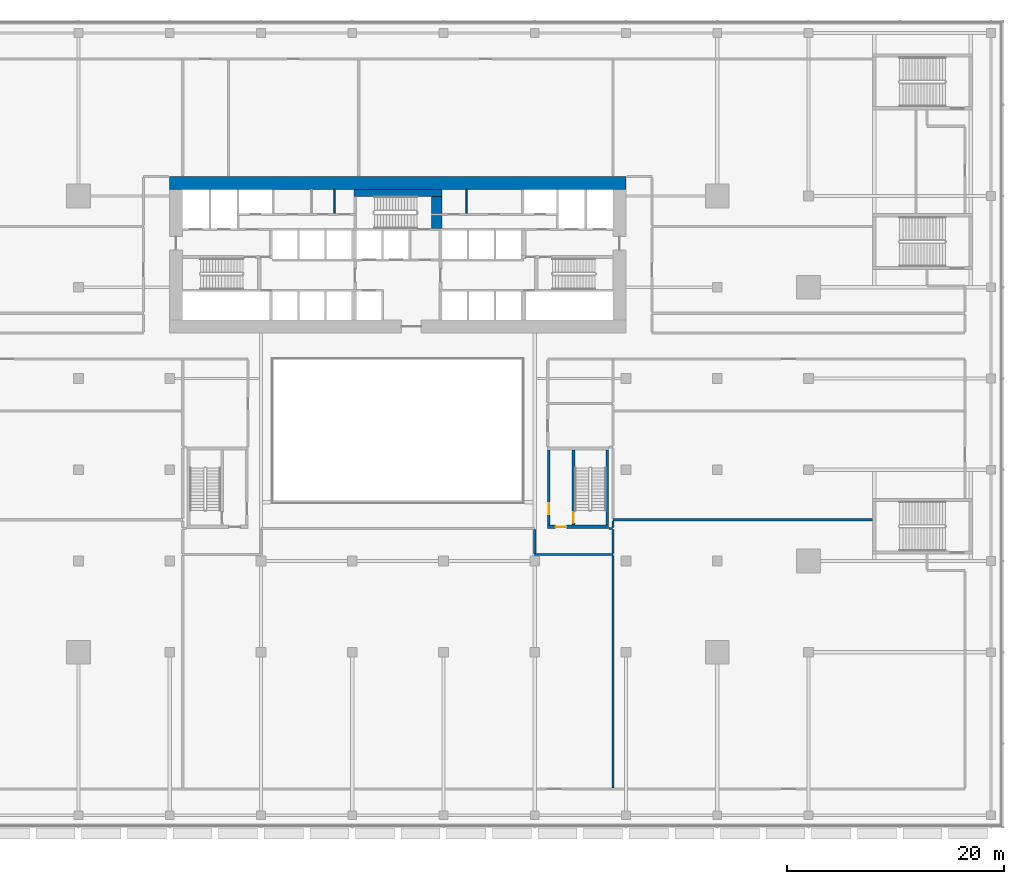
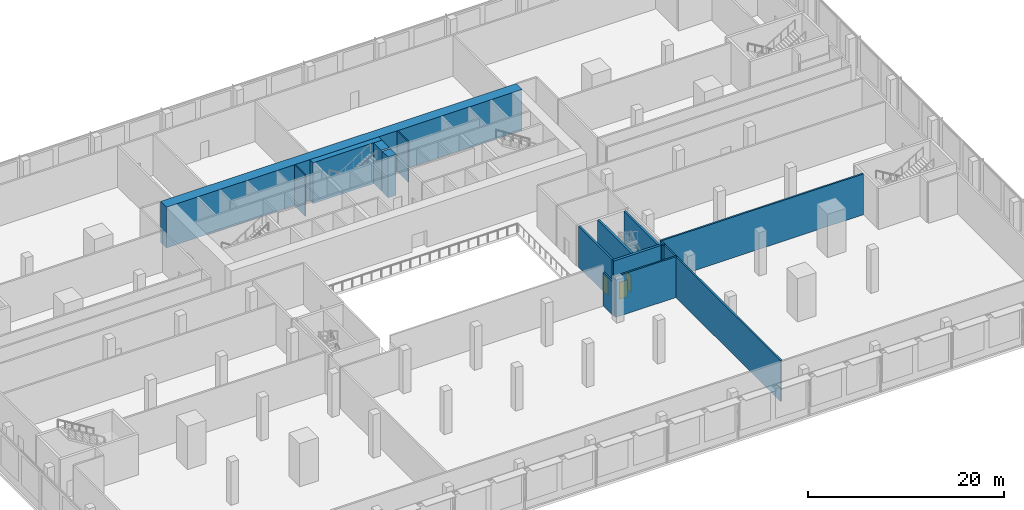
# One storey, part 29 of 39: 17 walls, 3 doors, 3 openings.
"""IFC4 building model written with IfcOpenShell, lengths in metres."""

from ifc_helpers import new_model, si_unit, direction, frame, frame_2d, origin, place, context, subcontext, project, spatial, rectangle, extrude, material, layer, layer_set, type_object, element, fill, save


model = new_model("IFC4")

# Units and contexts
model_context = context("Model", 3, precision=1e-05, world=origin(), true_north=direction((0.0, 1.0)))
body_context = subcontext(model_context, "Body", "Model", "MODEL_VIEW")
ifc_project = project(units=[si_unit("LENGTHUNIT", "METRE"), si_unit("AREAUNIT", "SQUARE_METRE"), si_unit("VOLUMEUNIT", "CUBIC_METRE"), si_unit("PLANEANGLEUNIT", "RADIAN"), si_unit("MASSUNIT", "GRAM", prefix="KILO")], contexts=[model_context])

# Site, building, storey
site_placement = place(None, origin())
site = spatial("IfcSite", under=ifc_project, at=site_placement, CompositionType="ELEMENT")
building_placement = place(site_placement, origin())
building = spatial("IfcBuilding", under=site, at=building_placement, Name="Saffron Gate Tower", CompositionType="ELEMENT")
storey_placement = place(building_placement, frame((0.0, 0.0, 9.0)))
storey = spatial("IfcBuildingStorey", under=building, at=storey_placement, Name="L01", CompositionType="ELEMENT", Elevation=9.0)

# Wall
ifc_material_1 = material(Name="Concrete C70", Category="concrete")
ifc_layer_1 = layer(ifc_material_1, 1.199951171875)
ifc_layer_set_1 = layer_set([ifc_layer_1], Name="CW1 RC core wall 1200 C70")
wall_type_1 = type_object("IfcWallType", Name="CW1 RC core wall 1200 C70", PredefinedType="SOLIDWALL", material=ifc_layer_set_1)
wall_1_placement = place(storey_placement, frame((66.60009765625, 75.0, 0.0), z_axis=(0.0, 0.0, 1.0), x_axis=(1.0, 0.0, 0.0)))
element("IfcWall", 1, at=wall_1_placement, inside=storey, type_object=wall_type_1, Name="Wall CW1-L01-2", PredefinedType="SOLIDWALL", context=body_context, shape_type="SweptSolid", body=[
    extrude(rectangle(XDim=42.0, YDim=1.199951171875, at=frame_2d((21.0, 0.0))), origin(), (0.0, 0.0, 1.0), 5.10009765625),
])

# Wall, opening, door
ifc_material_2 = material(Name="Gypsum board partition on steel studs", Category="steel")
ifc_layer_2 = layer(ifc_material_2, 0.199951171875)
ifc_layer_set_2 = layer_set([ifc_layer_2], Name="CW10 Core partition 200")
wall_type_2 = type_object("IfcWallType", Name="CW10 Core partition 200", PredefinedType="PARTITIONING", material=ifc_layer_set_2)
wall_2_placement = place(storey_placement, frame((101.5, 43.5, 0.0), z_axis=(0.0, 0.0, 1.0), x_axis=(0.0, 1.0, 0.0)))
wall_2 = element("IfcWall", 2, at=wall_2_placement, inside=storey, type_object=wall_type_2, Name="Wall CW10-L01-E-2", PredefinedType="PARTITIONING", context=body_context, shape_type="SweptSolid", body=[
    extrude(rectangle(XDim=6.89990234375, YDim=0.199951171875, at=frame_2d((3.449951171875, 0.0))), origin(), (0.0, 0.0, 1.0), 5.10009765625),
])
opening_1_placement = place(wall_2_placement, frame((1.0, 0.0, 0.0)))
opening_1 = element("IfcOpeningElement", 3, at=opening_1_placement, cuts=wall_2, Name="Opening CR-22", PredefinedType="OPENING", context=body_context, shape_type="SweptSolid", body=[
    extrude(rectangle(XDim=1.0, YDim=2.10009765625, at=frame_2d((0.5, 1.050048828125))), frame((0.0, 0.10986328125, 0.0), z_axis=(0.0, -1.0, 0.0), x_axis=(1.0, 0.0, 0.0)), (0.0, 0.0, 1.0), 0.219970703125),
])
ifc_material_3 = material(Name="Steel fire door set", Category="steel")
door_type_1 = type_object("IfcDoorType", Name="CD4 Lobby door 1000x2100 EI 120", OperationType="NOTDEFINED", PredefinedType="DOOR", material=ifc_material_3)
door_1_placement = place(opening_1_placement, origin())
door_1 = element("IfcDoor", 4, at=door_1_placement, inside=storey, type_object=door_type_1, Name="DOOR CR-22", OperationType="SINGLE_SWING_LEFT", OverallHeight=2.10009765625, OverallWidth=1.0, PredefinedType="DOOR", context=body_context, shape_type="SweptSolid", body=[
    extrude(rectangle(XDim=1.0, YDim=2.10009765625, at=frame_2d((0.5, 1.050048828125))), frame((0.0, 0.02490234375, 0.0), z_axis=(0.0, -1.0, 0.0), x_axis=(1.0, 0.0, 0.0)), (0.0, 0.0, 1.0), 0.050048828125),
])
fill(opening_1, door_1)

ifc_layer_3 = layer(ifc_material_1, 0.25)
ifc_layer_set_3 = layer_set([ifc_layer_3], Name="CW2 RC core wall 250 C70")
wall_type_3 = type_object("IfcWallType", Name="CW2 RC core wall 250 C70", PredefinedType="SOLIDWALL", material=ifc_layer_set_3)
wall_3_placement = place(storey_placement, frame((103.77490234375, 43.5, 0.0), z_axis=(0.0, 0.0, 1.0), x_axis=(0.0, 1.0, 0.0)))
wall_3 = element("IfcWall", 5, at=wall_3_placement, inside=storey, type_object=wall_type_3, Name="Wall CW2-L01-E-3", PredefinedType="SOLIDWALL", context=body_context, shape_type="SweptSolid", body=[
    extrude(rectangle(XDim=6.89990234375, YDim=0.25, at=frame_2d((3.449951171875, 0.0))), origin(), (0.0, 0.0, 1.0), 5.10009765625),
])
opening_2_placement = place(wall_3_placement, frame((0.199951171875, 0.0, 0.0)))
opening_2 = element("IfcOpeningElement", 6, at=opening_2_placement, cuts=wall_3, Name="Opening CR-23", PredefinedType="OPENING", context=body_context, shape_type="SweptSolid", body=[
    extrude(rectangle(XDim=1.0, YDim=2.10009765625, at=frame_2d((0.5, 1.050048828125))), frame((0.0, 0.135009765625, 0.0), z_axis=(0.0, -1.0, 0.0), x_axis=(1.0, 0.0, 0.0)), (0.0, 0.0, 1.0), 0.27001953125),
])
door_type_2 = type_object("IfcDoorType", Name="CD5 Stair door 1000x2100 EI 120", OperationType="NOTDEFINED", PredefinedType="DOOR", material=ifc_material_3)
door_2_placement = place(opening_2_placement, origin())
door_2 = element("IfcDoor", 7, at=door_2_placement, inside=storey, type_object=door_type_2, Name="DOOR CR-23", OperationType="SINGLE_SWING_RIGHT", OverallHeight=2.10009765625, OverallWidth=1.0, PredefinedType="DOOR", context=body_context, shape_type="SweptSolid", body=[
    extrude(rectangle(XDim=1.0, YDim=2.10009765625, at=frame_2d((0.5, 1.050048828125))), frame((0.0, 0.02490234375, 0.0), z_axis=(0.0, -1.0, 0.0), x_axis=(1.0, 0.0, 0.0)), (0.0, 0.0, 1.0), 0.050048828125),
])
fill(opening_2, door_2)

# Wall
wall_4_placement = place(storey_placement, frame((106.875, 43.5, 0.0), z_axis=(0.0, 0.0, 1.0), x_axis=(0.0, 1.0, 0.0)))
element("IfcWall", 8, at=wall_4_placement, inside=storey, type_object=wall_type_3, Name="Wall CW2-L01-E-4", PredefinedType="SOLIDWALL", context=body_context, shape_type="SweptSolid", body=[
    extrude(rectangle(XDim=6.89990234375, YDim=0.25, at=frame_2d((3.449951171875, 0.0))), origin(), (0.0, 0.0, 1.0), 5.10009765625),
])

# Wall, opening, door
ifc_layer_4 = layer(ifc_material_1, 0.300048828125)
ifc_layer_set_4 = layer_set([ifc_layer_4], Name="CW5 RC core wall 300 C70")
wall_type_4 = type_object("IfcWallType", Name="CW5 RC core wall 300 C70", PredefinedType="SOLIDWALL", material=ifc_layer_set_4)
wall_5_placement = place(storey_placement, frame((101.39990234375, 43.35009765625, 0.0), z_axis=(0.0, 0.0, 1.0), x_axis=(1.0, 0.0, 0.0)))
wall_5 = element("IfcWall", 9, at=wall_5_placement, inside=storey, type_object=wall_type_4, Name="Wall CW5-L01-E-1", PredefinedType="SOLIDWALL", context=body_context, shape_type="SweptSolid", body=[
    extrude(rectangle(XDim=5.60009765625, YDim=0.300048828125, at=frame_2d((2.800048828125, 0.0))), origin(), (0.0, 0.0, 1.0), 5.10009765625),
])
opening_3_placement = place(wall_5_placement, frame((0.72509765625, 0.0, 0.0)))
opening_3 = element("IfcOpeningElement", 10, at=opening_3_placement, cuts=wall_5, Name="Opening CR-21", PredefinedType="OPENING", context=body_context, shape_type="SweptSolid", body=[
    extrude(rectangle(XDim=1.0, YDim=2.10009765625, at=frame_2d((0.5, 1.050048828125))), frame((0.0, 0.16015625, 0.0), z_axis=(0.0, -1.0, 0.0), x_axis=(1.0, 0.0, 0.0)), (0.0, 0.0, 1.0), 0.320068359375),
])
door_3_placement = place(opening_3_placement, origin())
door_3 = element("IfcDoor", 11, at=door_3_placement, inside=storey, type_object=door_type_1, Name="DOOR CR-21", OperationType="SINGLE_SWING_RIGHT", OverallHeight=2.10009765625, OverallWidth=1.0, PredefinedType="DOOR", context=body_context, shape_type="SweptSolid", body=[
    extrude(rectangle(XDim=1.0, YDim=2.10009765625, at=frame_2d((0.5, 1.050048828125))), frame((0.0, 0.02490234375, 0.0), z_axis=(0.0, -1.0, 0.0), x_axis=(1.0, 0.0, 0.0)), (0.0, 0.0, 1.0), 0.050048828125),
])
fill(opening_3, door_3)

# Walls
ifc_layer_5 = layer(ifc_material_1, 0.949951171875)
ifc_layer_set_5 = layer_set([ifc_layer_5], Name="CW7 RC core wall 950 C70")
wall_type_5 = type_object("IfcWallType", Name="CW7 RC core wall 950 C70", PredefinedType="SOLIDWALL", material=ifc_layer_set_5)
wall_6_placement = place(storey_placement, frame((91.175048828125, 70.800048828125, 0.0), z_axis=(0.0, 0.0, 1.0), x_axis=(0.0, 1.0, 0.0)))
element("IfcWall", 12, at=wall_6_placement, inside=storey, type_object=wall_type_5, Name="Wall CW7-L01-38", PredefinedType="SOLIDWALL", context=body_context, shape_type="SweptSolid", body=[
    extrude(rectangle(XDim=1.199951171875, YDim=0.949951171875, at=frame_2d((0.60009765625, 0.0))), origin(), (0.0, 0.0, 1.0), 5.10009765625),
])
wall_7_placement = place(storey_placement, frame((91.175048828125, 72.199951171875, 0.0), z_axis=(0.0, 0.0, 1.0), x_axis=(0.0, 1.0, 0.0)))
element("IfcWall", 13, at=wall_7_placement, inside=storey, type_object=wall_type_5, Name="Wall CW7-L01-48", PredefinedType="SOLIDWALL", context=body_context, shape_type="SweptSolid", body=[
    extrude(rectangle(XDim=1.550048828125, YDim=0.949951171875, at=frame_2d((0.77490234375, 0.0))), origin(), (0.0, 0.0, 1.0), 5.10009765625),
])
ifc_layer_6 = layer(ifc_material_2, 0.1201171875)
ifc_layer_set_6 = layer_set([ifc_layer_6], Name="CW8 Core partition 120")
wall_type_6 = type_object("IfcWallType", Name="CW8 Core partition 120", PredefinedType="PARTITIONING", material=ifc_layer_set_6)
for number, where, z_axis, x_axis, name in (
    (14, (81.780029296875, 72.199951171875, 0.0), (0.0, 0.0, 1.0), (0.0, 1.0, 0.0), "Wall CW8-L01-46"),
    (15, (93.909912109375, 72.199951171875, 0.0), (0.0, 0.0, 1.0), (0.0, 1.0, 0.0), "Wall CW8-L01-49"),
):
    element("IfcWall", number, at=place(storey_placement, frame(where, z_axis=z_axis, x_axis=x_axis)), inside=storey, type_object=wall_type_6, Name=name, PredefinedType="PARTITIONING", context=body_context, shape_type="SweptSolid", body=[
        extrude(rectangle(XDim=2.199951171875, YDim=0.1201171875, at=frame_2d((1.10009765625, 0.0))), origin(), (0.0, 0.0, 1.0), 5.10009765625),
    ])
ifc_layer_7 = layer(ifc_material_1, 0.64990234375)
ifc_layer_set_7 = layer_set([ifc_layer_7], Name="CW9 RC core wall 650 C70")
wall_type_7 = type_object("IfcWallType", Name="CW9 RC core wall 650 C70", PredefinedType="SOLIDWALL", material=ifc_layer_set_7)
wall_8_placement = place(storey_placement, frame((83.550048828125, 74.074951171875, 0.0), z_axis=(0.0, 0.0, 1.0), x_axis=(1.0, 0.0, 0.0)))
element("IfcWall", 16, at=wall_8_placement, inside=storey, type_object=wall_type_7, Name="Wall CW9-L01-52", PredefinedType="SOLIDWALL", context=body_context, shape_type="SweptSolid", body=[
    extrude(rectangle(XDim=8.099853515625, YDim=0.64990234375, at=frame_2d((4.0498046875, 0.0))), origin(), (0.0, 0.0, 1.0), 5.10009765625),
])
ifc_material_4 = material(Name="Clay brick masonry, rendered", Category="masonry")
ifc_layer_8 = layer(ifc_material_4, 0.199951171875)
ifc_layer_set_8 = layer_set([ifc_layer_8], Name="PW3 Corridor wall 200")
wall_type_8 = type_object("IfcWallType", Name="PW3 Corridor wall 200", PredefinedType="PARTITIONING", material=ifc_layer_set_8)
wall_9_placement = place(storey_placement, frame((100.199951171875, 40.800048828125, 0.0), z_axis=(0.0, 0.0, 1.0), x_axis=(1.0, 0.0, 0.0)))
element("IfcWall", 17, at=wall_9_placement, inside=storey, type_object=wall_type_8, Name="Wall P1-5", PredefinedType="PARTITIONING", context=body_context, shape_type="SweptSolid", body=[
    extrude(rectangle(XDim=7.199951171875, YDim=0.199951171875, at=frame_2d((3.60009765625, 0.0))), origin(), (0.0, 0.0, 1.0), 5.10009765625),
])
wall_10_placement = place(storey_placement, frame((100.199951171875, 43.10009765625, 0.0), z_axis=(0.0, 0.0, 1.0), x_axis=(0.0, -1.0, 0.0)))
element("IfcWall", 18, at=wall_10_placement, inside=storey, type_object=wall_type_8, Name="Wall P1-56", PredefinedType="PARTITIONING", context=body_context, shape_type="SweptSolid", body=[
    extrude(rectangle(XDim=2.2001953125, YDim=0.199951171875, at=frame_2d((1.10009765625, 0.0))), origin(), (0.0, 0.0, 1.0), 4.199951171875),
])
wall_11_placement = place(storey_placement, frame((107.39990234375, 43.10009765625, 0.0), z_axis=(0.0, 0.0, 1.0), x_axis=(0.0, -1.0, 0.0)))
element("IfcWall", 19, at=wall_11_placement, inside=storey, type_object=wall_type_8, Name="Wall P1-59", PredefinedType="PARTITIONING", context=body_context, shape_type="SweptSolid", body=[
    extrude(rectangle(XDim=2.2001953125, YDim=0.199951171875, at=frame_2d((1.10009765625, 0.0))), origin(), (0.0, 0.0, 1.0), 5.10009765625),
])
ifc_layer_9 = layer(ifc_material_4, 0.199951171875)
ifc_layer_set_9 = layer_set([ifc_layer_9], Name="PW5 Room wall 200")
wall_type_9 = type_object("IfcWallType", Name="PW5 Room wall 200", PredefinedType="PARTITIONING", material=ifc_layer_set_9)
wall_12_placement = place(storey_placement, frame((107.050048828125, 43.199951171875, 0.0), z_axis=(0.0, 0.0, 1.0), x_axis=(1.0, 0.0, 0.0)))
element("IfcWall", 20, at=wall_12_placement, inside=storey, type_object=wall_type_9, Name="Wall P1-8", PredefinedType="PARTITIONING", context=body_context, shape_type="SweptSolid", body=[
    extrude(rectangle(XDim=0.329833984375, YDim=0.199951171875, at=frame_2d((0.1650390625, 0.0))), origin(), (0.0, 0.0, 1.0), 5.10009765625),
])
wall_13_placement = place(storey_placement, frame((107.39990234375, 44.0, 0.0), z_axis=(0.0, 0.0, 1.0), x_axis=(1.0, 0.0, 0.0)))
element("IfcWall", 21, at=wall_13_placement, inside=storey, type_object=wall_type_9, Name="Wall P1-10", PredefinedType="PARTITIONING", context=body_context, shape_type="SweptSolid", body=[
    extrude(rectangle(XDim=23.900146484375, YDim=0.199951171875, at=frame_2d((11.9501953125, 0.0))), origin(), (0.0, 0.0, 1.0), 5.10009765625),
])
wall_14_placement = place(storey_placement, frame((107.39990234375, 43.89990234375, 0.0), z_axis=(0.0, 0.0, 1.0), x_axis=(0.0, -1.0, 0.0)))
element("IfcWall", 22, at=wall_14_placement, inside=storey, type_object=wall_type_9, Name="Wall P1-60", PredefinedType="PARTITIONING", context=body_context, shape_type="SweptSolid", body=[
    extrude(rectangle(XDim=0.599853515625, YDim=0.199951171875, at=frame_2d((0.2998046875, 0.0))), origin(), (0.0, 0.0, 1.0), 5.10009765625),
])
wall_15_placement = place(storey_placement, frame((107.39990234375, 40.699951171875, 0.0), z_axis=(0.0, 0.0, 1.0), x_axis=(0.0, -1.0, 0.0)))
element("IfcWall", 23, at=wall_15_placement, inside=storey, type_object=wall_type_9, Name="Wall P1-64", PredefinedType="PARTITIONING", context=body_context, shape_type="SweptSolid", body=[
    extrude(rectangle(XDim=21.39990234375, YDim=0.199951171875, at=frame_2d((10.699951171875, 0.0))), origin(), (0.0, 0.0, 1.0), 5.10009765625),
])

save(model, "model.ifc")
